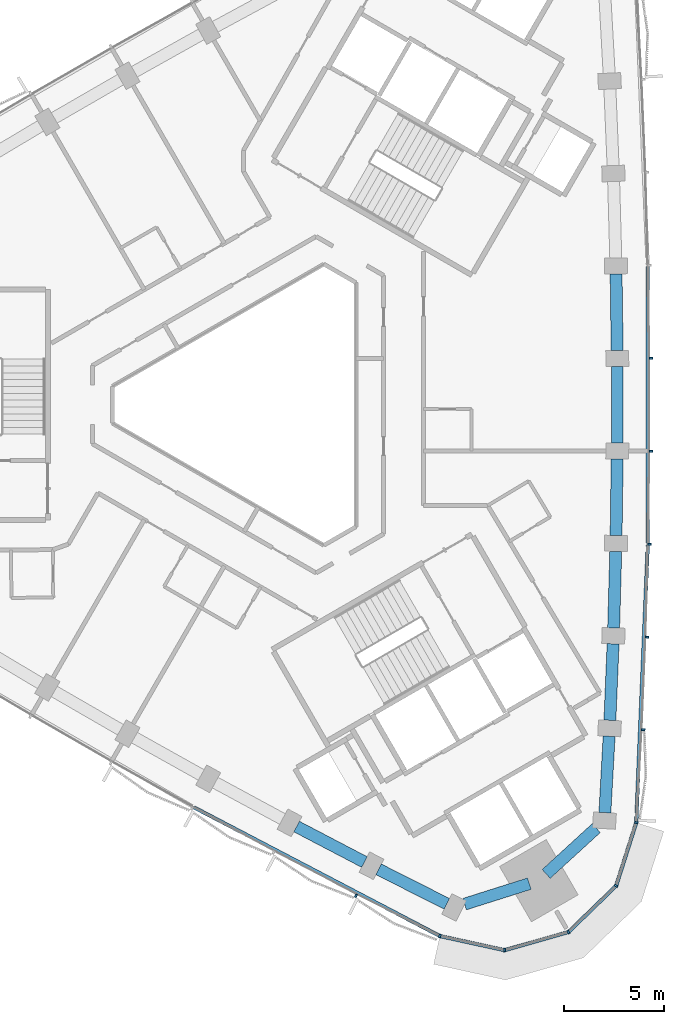
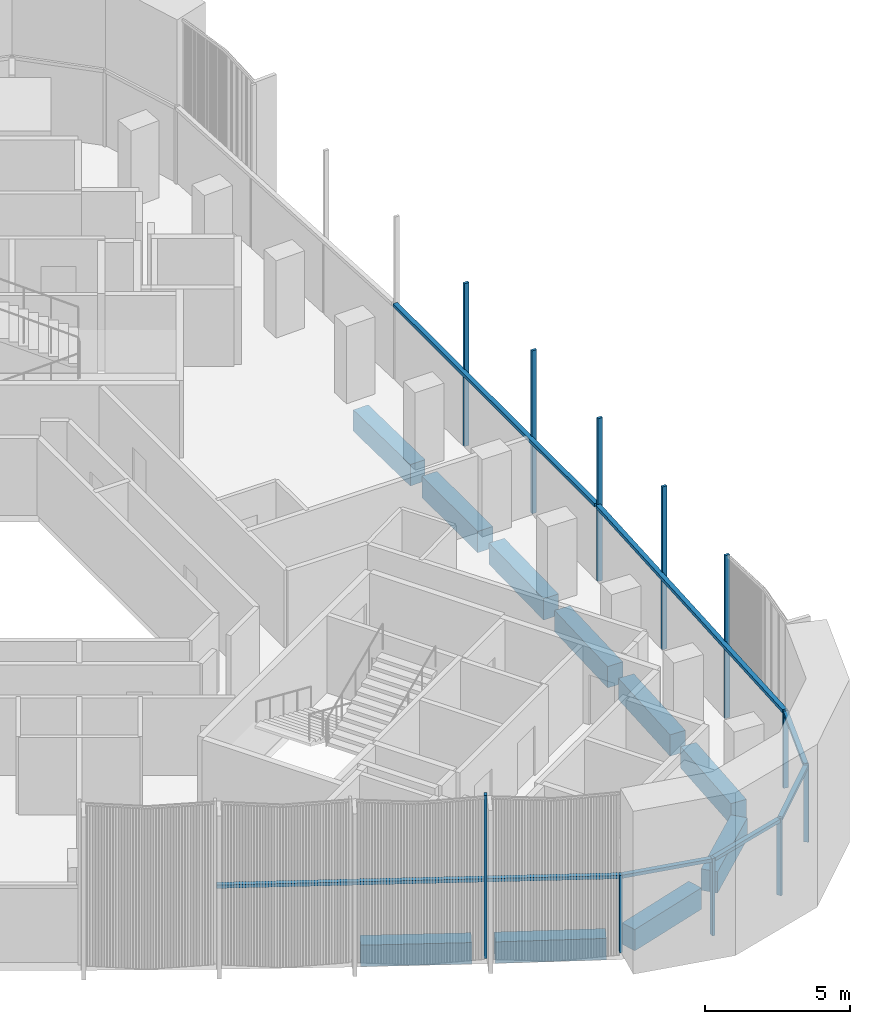
# One storey, part 3 of 14: 18 members, 10 beams, 2 elements without a shape of their own.
"""IFC4 building model written with IfcOpenShell, lengths in metres."""

from ifc_helpers import new_model, si_unit, direction, frame, origin, origin_2d, place, context, subcontext, project, spatial, rectangle, extrude, material, material_profile, profile_set, type_object, element, aggregate, save


model = new_model("IFC4")

# Units and contexts
model_context = context("Model", 3, precision=1e-05, world=origin(), true_north=direction((0.0, 1.0)))
body_context = subcontext(model_context, "Body", "Model", "MODEL_VIEW")
ifc_project = project(units=[si_unit("LENGTHUNIT", "METRE"), si_unit("AREAUNIT", "SQUARE_METRE"), si_unit("VOLUMEUNIT", "CUBIC_METRE"), si_unit("PLANEANGLEUNIT", "RADIAN"), si_unit("MASSUNIT", "GRAM", prefix="KILO")], contexts=[model_context])

# Site, building, storey
site_placement = place(None, origin())
site = spatial("IfcSite", under=ifc_project, at=site_placement, CompositionType="ELEMENT")
building_placement = place(site_placement, origin())
building = spatial("IfcBuilding", under=site, at=building_placement, Name="Tamra Quay Hotel Tower", CompositionType="ELEMENT")
storey_placement = place(building_placement, frame((0.0, 0.0, 175.60009765625)))
storey = spatial("IfcBuildingStorey", under=building, at=storey_placement, Name="L43", CompositionType="ELEMENT", Elevation=175.60009765625)

# Curtain wall, members
ifc_material_1 = material(Name="Aluminium 6063 anodised dark grey", Category="aluminium")
curtain_wall_type_1 = type_object("IfcCurtainWallType", Name="CW1 CURTAIN WALL", PredefinedType="NOTDEFINED", material=ifc_material_1)
curtain_wall_1_placement = place(storey_placement, origin())
curtain_wall_1 = element("IfcCurtainWall", 1, at=curtain_wall_1_placement, inside=storey, type_object=curtain_wall_type_1, Name="CW1 east face L43", PredefinedType="NOTDEFINED")
ifc_material_profile_1 = material_profile(ifc_material_1, rectangle(XDim=0.179931640625, YDim=0.10009765625, at=origin_2d()), Name="MULLION 100X180")
ifc_profile_set_1 = profile_set([ifc_material_profile_1], Name="Aluminium 6063 anodised dark grey")
member_type_1 = type_object("IfcMemberType", Name="MULLION CW1 Z4", PredefinedType="MULLION", material=ifc_profile_set_1)
member_1_placement = place(storey_placement, frame((18.665283203125, -20.955078125, 0.0), z_axis=(0.0, 0.0, 1.0), x_axis=(0.983509429279, -0.180856856435, 0.0)))
member_1 = element("IfcMember", 2, at=member_1_placement, type_object=member_type_1, Name="CW1 mullion L43.E.1", PredefinedType="MULLION", context=body_context, shape_type="SweptSolid", body=[
    extrude(rectangle(XDim=0.179931640625, YDim=0.10009765625, at=origin_2d()), origin(), (0.0, 0.0, 1.0), 3.25),
])
member_2_placement = place(storey_placement, frame((19.013427734375, -16.30712890625, 0.0), z_axis=(0.0, 0.0, 1.0), x_axis=(0.998822718062, -0.048509564873, 0.0)))
member_2 = element("IfcMember", 3, at=member_2_placement, type_object=member_type_1, Name="CW1 mullion L43.E.2", PredefinedType="MULLION", context=body_context, shape_type="SweptSolid", body=[
    extrude(rectangle(XDim=0.179931640625, YDim=0.10009765625, at=origin_2d()), origin(), (0.0, 0.0, 1.0), 6.849853515625),
])
member_3_placement = place(storey_placement, frame((19.20751953125, -11.64990234375, 0.0), z_axis=(0.0, 0.0, 1.0), x_axis=(0.999398551389, -0.034677593353, 0.0)))
member_3 = element("IfcMember", 4, at=member_3_placement, type_object=member_type_1, Name="CW1 mullion L43.E.3", PredefinedType="MULLION", context=body_context, shape_type="SweptSolid", body=[
    extrude(rectangle(XDim=0.179931640625, YDim=0.10009765625, at=origin_2d()), origin(), (0.0, 0.0, 1.0), 6.849853515625),
])
member_4_placement = place(storey_placement, frame((19.336669921875, -6.991455078125, 0.0), z_axis=(0.0, 0.0, 1.0), x_axis=(0.999783233149, -0.020820343761, 0.0)))
member_4 = element("IfcMember", 5, at=member_4_placement, type_object=member_type_1, Name="CW1 mullion L43.E.4", PredefinedType="MULLION", context=body_context, shape_type="SweptSolid", body=[
    extrude(rectangle(XDim=0.179931640625, YDim=0.10009765625, at=origin_2d()), origin(), (0.0, 0.0, 1.0), 6.849853515625),
])
member_5_placement = place(storey_placement, frame((19.4013671875, -2.33056640625, 0.0), z_axis=(0.0, 0.0, 1.0), x_axis=(0.999975895943, -0.006943164489, 0.0)))
member_5 = element("IfcMember", 6, at=member_5_placement, type_object=member_type_1, Name="CW1 mullion L43.E.5", PredefinedType="MULLION", context=body_context, shape_type="SweptSolid", body=[
    extrude(rectangle(XDim=0.179931640625, YDim=0.10009765625, at=origin_2d()), origin(), (0.0, 0.0, 1.0), 6.849853515625),
])
member_6_placement = place(storey_placement, frame((19.4013671875, 2.33056640625, 0.0), z_axis=(0.0, 0.0, 1.0), x_axis=(0.999975895943, 0.006943164489, 0.0)))
member_6 = element("IfcMember", 7, at=member_6_placement, type_object=member_type_1, Name="CW1 mullion L43.E.6", PredefinedType="MULLION", context=body_context, shape_type="SweptSolid", body=[
    extrude(rectangle(XDim=0.179931640625, YDim=0.10009765625, at=origin_2d()), origin(), (0.0, 0.0, 1.0), 6.849853515625),
])

curtain_wall_type_2 = type_object("IfcCurtainWallType", Name="CW3 CURTAIN WALL", PredefinedType="NOTDEFINED", material=ifc_material_1)
curtain_wall_2_placement = place(storey_placement, origin())
curtain_wall_2 = element("IfcCurtainWall", 8, at=curtain_wall_2_placement, inside=storey, type_object=curtain_wall_type_2, Name="CW3 south-west face L43", PredefinedType="NOTDEFINED")
ifc_material_profile_2 = material_profile(ifc_material_1, rectangle(XDim=0.179931640625, YDim=0.10009765625, at=origin_2d()), Name="MULLION 100X180")
ifc_profile_set_2 = profile_set([ifc_material_profile_2], Name="Aluminium 6063 anodised dark grey")
member_type_2 = type_object("IfcMemberType", Name="MULLION CW3 Z4", PredefinedType="MULLION", material=ifc_profile_set_2)
member_7_placement = place(storey_placement, frame((4.61572265625, -24.61962890625, 0.0), z_axis=(0.0, 0.0, 1.0), x_axis=(-0.457400843524, -0.889260630155, 0.0)))
member_7 = element("IfcMember", 9, at=member_7_placement, type_object=member_type_2, Name="CW3 mullion L43.SW.9", PredefinedType="MULLION", context=body_context, shape_type="SweptSolid", body=[
    extrude(rectangle(XDim=0.179931640625, YDim=0.10009765625, at=origin_2d()), origin(), (0.0, 0.0, 1.0), 6.849853515625),
])
member_8_placement = place(storey_placement, frame((8.81494140625, -26.642333984375, 0.0), z_axis=(0.0, 0.0, 1.0), x_axis=(-0.335128082518, -0.942172578834, 0.0)))
member_8 = element("IfcMember", 10, at=member_8_placement, type_object=member_type_2, Name="CW3 mullion L43.SW.10", PredefinedType="MULLION", context=body_context, shape_type="SweptSolid", body=[
    extrude(rectangle(XDim=0.179931640625, YDim=0.10009765625, at=origin_2d()), origin(), (0.0, 0.0, 1.0), 3.25),
])
member_9_placement = place(storey_placement, frame((12.06591796875, -27.353271484375, 0.0), z_axis=(0.0, 0.0, 1.0), x_axis=(0.030975337936, -0.999520149091, 0.0)))
member_9 = element("IfcMember", 11, at=member_9_placement, type_object=member_type_2, Name="CW3 mullion L43.SW.11", PredefinedType="MULLION", context=body_context, shape_type="SweptSolid", body=[
    extrude(rectangle(XDim=0.179931640625, YDim=0.10009765625, at=origin_2d()), origin(), (0.0, 0.0, 1.0), 3.25),
])
member_10_placement = place(storey_placement, frame((15.2666015625, -26.4423828125, 0.0), z_axis=(0.0, 0.0, 1.0), x_axis=(0.5, -0.866025403784, 0.0)))
member_10 = element("IfcMember", 12, at=member_10_placement, type_object=member_type_2, Name="CW3 mullion L43.SW.12", PredefinedType="MULLION", context=body_context, shape_type="SweptSolid", body=[
    extrude(rectangle(XDim=0.179931640625, YDim=0.10009765625, at=origin_2d()), origin(), (0.0, 0.0, 1.0), 3.25),
])
member_11_placement = place(storey_placement, frame((17.65576171875, -24.1259765625, 0.0), z_axis=(0.0, 0.0, 1.0), x_axis=(0.85012217174, -0.526585504089, 0.0)))
member_11 = element("IfcMember", 13, at=member_11_placement, type_object=member_type_2, Name="CW3 mullion L43.SW.13", PredefinedType="MULLION", context=body_context, shape_type="SweptSolid", body=[
    extrude(rectangle(XDim=0.179931640625, YDim=0.10009765625, at=origin_2d()), origin(), (0.0, 0.0, 1.0), 3.25),
])

# Beams
ifc_material_2 = material(Name="Concrete M60", Category="concrete")
ifc_material_profile_3 = material_profile(ifc_material_2, rectangle(XDim=0.60009765625, YDim=0.89990234375, at=origin_2d()), Name="SPANDREL BEAM RC 600x900")
ifc_profile_set_3 = profile_set([ifc_material_profile_3], Name="Concrete M60")
beam_type = type_object("IfcBeamType", Name="SPANDREL BEAM RC 600x900", PredefinedType="SPANDREL", material=ifc_profile_set_3)
beam_1_placement = place(storey_placement, frame((17.091796875, -20.456787109375, -0.800048828125), z_axis=(0.055346700292, 0.99846719664, 0.0), x_axis=(-0.99846719664, 0.055346700292, 0.0)))
element("IfcBeam", 14, at=beam_1_placement, inside=storey, type_object=beam_type, Name="BM-SP4-000-L43", PredefinedType="SPANDREL", context=body_context, shape_type="SweptSolid", body=[
    extrude(rectangle(XDim=0.60009765625, YDim=0.89990234375, at=origin_2d()), origin(), (0.0, 0.0, 1.0), 3.837646484375),
])
beam_2_placement = place(storey_placement, frame((17.343017578125, -15.82568359375, -0.800048828125), z_axis=(0.041609373826, 0.999133954988, 0.0), x_axis=(-0.999133954988, 0.041609373826, 0.0)))
element("IfcBeam", 15, at=beam_2_placement, inside=storey, type_object=beam_type, Name="BM-SP4-001-L43", PredefinedType="SPANDREL", context=body_context, shape_type="SweptSolid", body=[
    extrude(rectangle(XDim=0.60009765625, YDim=0.89990234375, at=origin_2d()), origin(), (0.0, 0.0, 1.0), 3.83740234375),
])
beam_3_placement = place(storey_placement, frame((17.530517578125, -11.192138671875, -0.800048828125), z_axis=(0.02773528523, 0.999615302981, 0.0), x_axis=(-0.999615302981, 0.02773528523, 0.0)))
element("IfcBeam", 16, at=beam_3_placement, inside=storey, type_object=beam_type, Name="BM-SP4-002-L43", PredefinedType="SPANDREL", context=body_context, shape_type="SweptSolid", body=[
    extrude(rectangle(XDim=0.60009765625, YDim=0.89990234375, at=origin_2d()), origin(), (0.0, 0.0, 1.0), 3.837890625),
])
for number, where, z_axis, x_axis, name in (
    (17, (17.65380859375, -6.555908203125, -0.800048828125), (0.01380539035, 0.999904701058, 0.0), (-0.999904701058, 0.01380539035, 0.0), "BM-SP4-003-L43"),
    (18, (17.71240234375, -1.918701171875, -0.800048828125), (0.0, 1.0, 0.0), (-1.0, 0.0, 0.0), "BM-SP4-004-L43"),
    (19, (17.706787109375, 2.71875, -0.800048828125), (-0.01380539035, 0.999904701058, 0.0), (-0.999904701058, -0.01380539035, 0.0), "BM-SP4-005-L43"),
    (20, (1.6337890625, -21.153564453125, -0.800048828125), (0.886043134182, -0.463602808845, 0.0), (0.463602808845, 0.886043134182, 0.0), "BM-SP4-029-L43"),
):
    element("IfcBeam", number, at=place(storey_placement, frame(where, z_axis=z_axis, x_axis=x_axis)), inside=storey, type_object=beam_type, Name=name, PredefinedType="SPANDREL", context=body_context, shape_type="SweptSolid", body=[
        extrude(rectangle(XDim=0.60009765625, YDim=0.89990234375, at=origin_2d()), origin(), (0.0, 0.0, 1.0), 3.83740234375),
    ])
beam_4_placement = place(storey_placement, frame((5.745361328125, -23.29833984375, -0.800048828125), z_axis=(0.892407883039, -0.451229620359, 0.0), x_axis=(0.451229620359, 0.892407883039, 0.0)))
element("IfcBeam", 21, at=beam_4_placement, inside=storey, type_object=beam_type, Name="BM-SP4-030-L43", PredefinedType="SPANDREL", context=body_context, shape_type="SweptSolid", body=[
    extrude(rectangle(XDim=0.60009765625, YDim=0.89990234375, at=origin_2d()), origin(), (0.0, 0.0, 1.0), 3.837646484375),
])
beam_5_placement = place(storey_placement, frame((10.057373046875, -25.043212890625, -0.800048828125), z_axis=(0.953502415748, 0.301385373174, 0.0), x_axis=(-0.301385373174, 0.953502415748, 0.0)))
element("IfcBeam", 22, at=beam_5_placement, inside=storey, type_object=beam_type, Name="BM-SP4-031-L43", PredefinedType="SPANDREL", context=body_context, shape_type="SweptSolid", body=[
    extrude(rectangle(XDim=0.60009765625, YDim=0.89990234375, at=origin_2d()), origin(), (0.0, 0.0, 1.0), 3.40380859375),
])
beam_6_placement = place(storey_placement, frame((14.14794921875, -23.52978515625, -0.800048828125), z_axis=(0.737716497183, 0.675110635218, 0.0), x_axis=(-0.675110635218, 0.737716497183, 0.0)))
element("IfcBeam", 23, at=beam_6_placement, inside=storey, type_object=beam_type, Name="BM-SP4-032-L43", PredefinedType="SPANDREL", context=body_context, shape_type="SweptSolid", body=[
    extrude(rectangle(XDim=0.60009765625, YDim=0.89990234375, at=origin_2d()), origin(), (0.0, 0.0, 1.0), 3.404296875),
])

# Member
ifc_material_profile_4 = material_profile(ifc_material_1, rectangle(XDim=0.179931640625, YDim=0.139892578125, at=origin_2d()), Name="TRANSOM 180X140")
ifc_profile_set_4 = profile_set([ifc_material_profile_4], Name="Aluminium 6063 anodised dark grey")
member_type_3 = type_object("IfcMemberType", Name="TRANSOM CW1 Z4", PredefinedType="USERDEFINED", material=ifc_profile_set_4)
member_12_placement = place(storey_placement, frame((18.668212890625, -20.9052734375, 3.179931640625), z_axis=(0.041588103727, 0.999134840564, 0.0), x_axis=(-0.999134840564, 0.041588103727, 0.0)))
member_12 = element("IfcMember", 24, at=member_12_placement, type_object=member_type_3, Name="CW1 transom L43.E.1", ObjectType="TRANSOM", PredefinedType="USERDEFINED", context=body_context, shape_type="SweptSolid", body=[
    extrude(rectangle(XDim=0.179931640625, YDim=0.139892578125, at=origin_2d()), origin(), (0.0, 0.0, 1.0), 13.877685546875),
])

member_13_placement = place(storey_placement, frame((19.24755859375, -6.939453125, 3.179931640625), z_axis=(0.0, 1.0, 0.0), x_axis=(-1.0, 0.0, 0.0)))
member_13 = element("IfcMember", 25, at=member_13_placement, type_object=member_type_3, Name="CW1 transom L43.E.4", ObjectType="TRANSOM", PredefinedType="USERDEFINED", context=body_context, shape_type="SweptSolid", body=[
    extrude(rectangle(XDim=0.179931640625, YDim=0.139892578125, at=origin_2d()), origin(), (0.0, 0.0, 1.0), 13.87890625),
])

aggregate(curtain_wall_1, [member_1, member_12, member_2, member_3, member_4, member_13, member_5, member_6])

ifc_material_profile_5 = material_profile(ifc_material_1, rectangle(XDim=0.179931640625, YDim=0.139892578125, at=origin_2d()), Name="TRANSOM 180X140")
ifc_profile_set_5 = profile_set([ifc_material_profile_5], Name="Aluminium 6063 anodised dark grey")
member_type_4 = type_object("IfcMemberType", Name="TRANSOM CW3 Z4", PredefinedType="USERDEFINED", material=ifc_profile_set_5)
member_14_placement = place(storey_placement, frame((-3.5263671875, -20.186767578125, 3.179931640625), z_axis=(0.886075202027, -0.463541515242, 0.0), x_axis=(0.463541515242, 0.886075202027, 0.0)))
member_14 = element("IfcMember", 26, at=member_14_placement, type_object=member_type_4, Name="CW3 transom L43.SW.7", ObjectType="TRANSOM", PredefinedType="USERDEFINED", context=body_context, shape_type="SweptSolid", body=[
    extrude(rectangle(XDim=0.179931640625, YDim=0.139892578125, at=origin_2d()), origin(), (0.0, 0.0, 1.0), 13.877685546875),
])

member_15_placement = place(storey_placement, frame((8.86376953125, -26.65283203125, 3.179931640625), z_axis=(0.976905938147, -0.21366981072, 0.0), x_axis=(0.21366981072, 0.976905938147, 0.0)))
member_15 = element("IfcMember", 27, at=member_15_placement, type_object=member_type_4, Name="CW3 transom L43.SW.10", ObjectType="TRANSOM", PredefinedType="USERDEFINED", context=body_context, shape_type="SweptSolid", body=[
    extrude(rectangle(XDim=0.179931640625, YDim=0.139892578125, at=origin_2d()), origin(), (0.0, 0.0, 1.0), 3.227783203125),
])

member_16_placement = place(storey_placement, frame((12.114013671875, -27.339599609375, 3.179931640625), z_axis=(0.961806009168, 0.273731987038, 0.0), x_axis=(-0.273731987038, 0.961806009168, 0.0)))
member_16 = element("IfcMember", 28, at=member_16_placement, type_object=member_type_4, Name="CW3 transom L43.SW.11", ObjectType="TRANSOM", PredefinedType="USERDEFINED", context=body_context, shape_type="SweptSolid", body=[
    extrude(rectangle(XDim=0.179931640625, YDim=0.139892578125, at=origin_2d()), origin(), (0.0, 0.0, 1.0), 3.227783203125),
])

member_17_placement = place(storey_placement, frame((15.302490234375, -26.407470703125, 3.179931640625), z_axis=(0.717989739808, 0.696053685811, 0.0), x_axis=(-0.696053685811, 0.717989739808, 0.0)))
member_17 = element("IfcMember", 29, at=member_17_placement, type_object=member_type_4, Name="CW3 transom L43.SW.12", ObjectType="TRANSOM", PredefinedType="USERDEFINED", context=body_context, shape_type="SweptSolid", body=[
    extrude(rectangle(XDim=0.179931640625, YDim=0.139892578125, at=origin_2d()), origin(), (0.0, 0.0, 1.0), 3.2275390625),
])

member_18_placement = place(storey_placement, frame((17.6708984375, -24.078369140625, 3.179931640625), z_axis=(0.303378482034, 0.952870136293, 0.0), x_axis=(-0.952870136293, 0.303378482034, 0.0)))
member_18 = element("IfcMember", 30, at=member_18_placement, type_object=member_type_4, Name="CW3 transom L43.SW.13", ObjectType="TRANSOM", PredefinedType="USERDEFINED", context=body_context, shape_type="SweptSolid", body=[
    extrude(rectangle(XDim=0.179931640625, YDim=0.139892578125, at=origin_2d()), origin(), (0.0, 0.0, 1.0), 3.227783203125),
])

aggregate(curtain_wall_2, [member_14, member_7, member_8, member_15, member_9, member_16, member_10, member_17, member_11, member_18])

save(model, "model.ifc")
